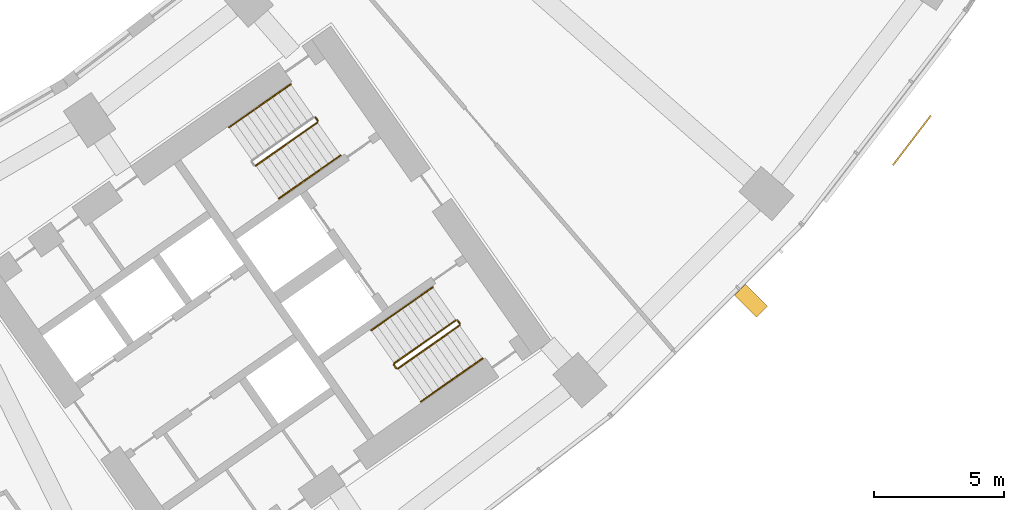
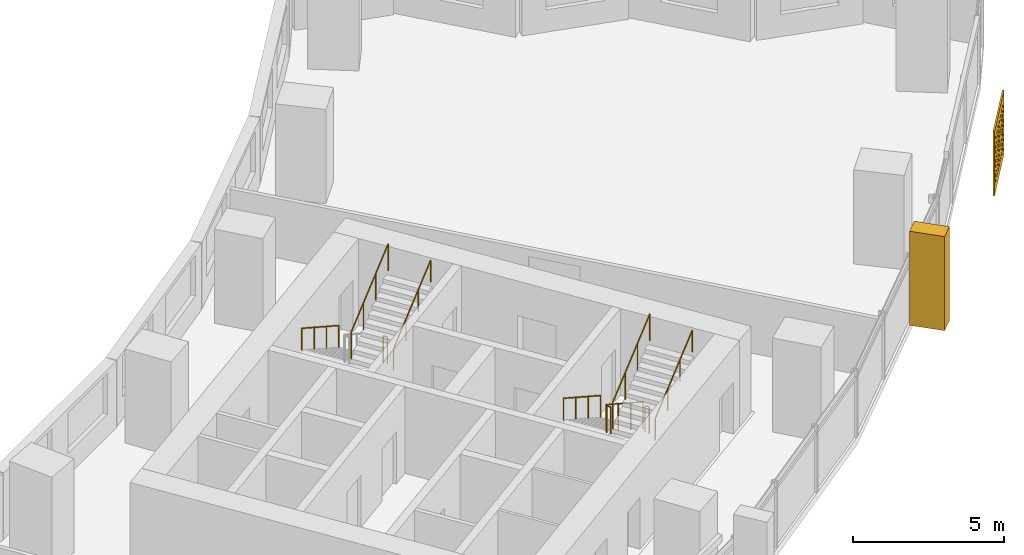
# One storey, part 31 of 31: 9 railings, 2 shading devices.
"""IFC4 building model written with IfcOpenShell, lengths in metres."""

from ifc_helpers import new_model, si_unit, direction, frame, origin, origin_2d, place, context, subcontext, project, spatial, polyline, circle, outline, extrude, material, material_profile, profile_set, type_object, element, save


model = new_model("IFC4")

# Units and contexts
model_context = context("Model", 3, precision=1e-05, world=origin(), true_north=direction((0.0, 1.0)))
body_context = subcontext(model_context, "Body", "Model", "MODEL_VIEW")
ifc_project = project(units=[si_unit("LENGTHUNIT", "METRE"), si_unit("AREAUNIT", "SQUARE_METRE"), si_unit("VOLUMEUNIT", "CUBIC_METRE"), si_unit("PLANEANGLEUNIT", "RADIAN"), si_unit("MASSUNIT", "GRAM", prefix="KILO")], contexts=[model_context])

# Site, building, storey
site_placement = place(None, origin())
site = spatial("IfcSite", under=ifc_project, at=site_placement, CompositionType="ELEMENT")
building_placement = place(site_placement, origin())
building = spatial("IfcBuilding", under=site, at=building_placement, Name="Qamariyya Broadcast Tower", CompositionType="ELEMENT")
storey_placement = place(building_placement, frame((0.0, 0.0, 59.5)))
storey = spatial("IfcBuildingStorey", under=building, at=storey_placement, Name="L11", CompositionType="ELEMENT", Elevation=59.5)

# Shading devices
ifc_material_1 = material(Name="Steel S355 powder coated deep red", Category="steel")
shading_device_type_1 = type_object("IfcShadingDeviceType", Name="Deep red frame, powder coated steel box section", PredefinedType="USERDEFINED", material=ifc_material_1)
shading_device_1_placement = place(storey_placement, origin())
element("IfcShadingDevice", 1, at=shading_device_1_placement, inside=storey, type_object=shading_device_type_1, Name="e-frm-B1-F5-postb-L11", ObjectType="FRAME", PredefinedType="USERDEFINED", context=body_context, shape_type="SweptSolid", body=[
    extrude(outline(polyline([(57.21630859375, -55.184814453125), (58.064697265625, -56.033203125), (58.489013671875, -55.60888671875), (57.640380859375, -54.760498046875), (57.21630859375, -55.184814453125)])), origin(), (0.0, 0.0, 1.0), 3.800048828125),
])
ifc_material_2 = material(Name="Perforated glazed terracotta", Category="masonry")
ifc_material_profile = material_profile(ifc_material_2, outline(polyline([(-1.199951171875, -1.300048828125), (1.199951171875, -1.300048828125), (1.199951171875, 1.300048828125), (-1.199951171875, 1.300048828125), (-1.199951171875, -1.300048828125)]), holes=[polyline([(-0.81494140625, -0.86669921875), (-0.89990234375, -0.78173828125), (-0.985107421875, -0.86669921875), (-0.89990234375, -0.95166015625), (-0.81494140625, -0.86669921875)]), polyline([(-0.514892578125, -0.86669921875), (-0.60009765625, -0.78173828125), (-0.68505859375, -0.86669921875), (-0.60009765625, -0.95166015625), (-0.514892578125, -0.86669921875)]), polyline([(-0.215087890625, -0.86669921875), (-0.300048828125, -0.78173828125), (-0.385009765625, -0.86669921875), (-0.300048828125, -0.95166015625), (-0.215087890625, -0.86669921875)]), polyline([(0.0849609375, -0.86669921875), (0.0, -0.78173828125), (-0.0849609375, -0.86669921875), (0.0, -0.95166015625), (0.0849609375, -0.86669921875)]), polyline([(0.385009765625, -0.86669921875), (0.300048828125, -0.78173828125), (0.215087890625, -0.86669921875), (0.300048828125, -0.95166015625), (0.385009765625, -0.86669921875)]), polyline([(0.68505859375, -0.86669921875), (0.60009765625, -0.78173828125), (0.514892578125, -0.86669921875), (0.60009765625, -0.95166015625), (0.68505859375, -0.86669921875)]), polyline([(0.985107421875, -0.86669921875), (0.89990234375, -0.78173828125), (0.81494140625, -0.86669921875), (0.89990234375, -0.95166015625), (0.985107421875, -0.86669921875)]), polyline([(-0.965087890625, -0.577880859375), (-1.050048828125, -0.49267578125), (-1.135009765625, -0.577880859375), (-1.050048828125, -0.662841796875), (-0.965087890625, -0.577880859375)]), polyline([(-0.6650390625, -0.577880859375), (-0.75, -0.49267578125), (-0.8349609375, -0.577880859375), (-0.75, -0.662841796875), (-0.6650390625, -0.577880859375)]), polyline([(-0.364990234375, -0.577880859375), (-0.449951171875, -0.49267578125), (-0.534912109375, -0.577880859375), (-0.449951171875, -0.662841796875), (-0.364990234375, -0.577880859375)]), polyline([(-0.06494140625, -0.577880859375), (-0.14990234375, -0.49267578125), (-0.235107421875, -0.577880859375), (-0.14990234375, -0.662841796875), (-0.06494140625, -0.577880859375)]), polyline([(0.235107421875, -0.577880859375), (0.14990234375, -0.49267578125), (0.06494140625, -0.577880859375), (0.14990234375, -0.662841796875), (0.235107421875, -0.577880859375)]), polyline([(0.534912109375, -0.577880859375), (0.449951171875, -0.49267578125), (0.364990234375, -0.577880859375), (0.449951171875, -0.662841796875), (0.534912109375, -0.577880859375)]), polyline([(0.8349609375, -0.577880859375), (0.75, -0.49267578125), (0.6650390625, -0.577880859375), (0.75, -0.662841796875), (0.8349609375, -0.577880859375)]), polyline([(1.135009765625, -0.577880859375), (1.050048828125, -0.49267578125), (0.965087890625, -0.577880859375), (1.050048828125, -0.662841796875), (1.135009765625, -0.577880859375)]), polyline([(-0.81494140625, -0.288818359375), (-0.89990234375, -0.203857421875), (-0.985107421875, -0.288818359375), (-0.89990234375, -0.373779296875), (-0.81494140625, -0.288818359375)]), polyline([(-0.514892578125, -0.288818359375), (-0.60009765625, -0.203857421875), (-0.68505859375, -0.288818359375), (-0.60009765625, -0.373779296875), (-0.514892578125, -0.288818359375)]), polyline([(-0.215087890625, -0.288818359375), (-0.300048828125, -0.203857421875), (-0.385009765625, -0.288818359375), (-0.300048828125, -0.373779296875), (-0.215087890625, -0.288818359375)]), polyline([(0.0849609375, -0.288818359375), (0.0, -0.203857421875), (-0.0849609375, -0.288818359375), (0.0, -0.373779296875), (0.0849609375, -0.288818359375)]), polyline([(0.385009765625, -0.288818359375), (0.300048828125, -0.203857421875), (0.215087890625, -0.288818359375), (0.300048828125, -0.373779296875), (0.385009765625, -0.288818359375)]), polyline([(0.68505859375, -0.288818359375), (0.60009765625, -0.203857421875), (0.514892578125, -0.288818359375), (0.60009765625, -0.373779296875), (0.68505859375, -0.288818359375)]), polyline([(0.985107421875, -0.288818359375), (0.89990234375, -0.203857421875), (0.81494140625, -0.288818359375), (0.89990234375, -0.373779296875), (0.985107421875, -0.288818359375)]), polyline([(-0.965087890625, 0.0), (-1.050048828125, 0.0849609375), (-1.135009765625, 0.0), (-1.050048828125, -0.0849609375), (-0.965087890625, 0.0)]), polyline([(-0.6650390625, 0.0), (-0.75, 0.0849609375), (-0.8349609375, 0.0), (-0.75, -0.0849609375), (-0.6650390625, 0.0)]), polyline([(-0.364990234375, 0.0), (-0.449951171875, 0.0849609375), (-0.534912109375, 0.0), (-0.449951171875, -0.0849609375), (-0.364990234375, 0.0)]), polyline([(-0.06494140625, 0.0), (-0.14990234375, 0.0849609375), (-0.235107421875, 0.0), (-0.14990234375, -0.0849609375), (-0.06494140625, 0.0)]), polyline([(0.235107421875, 0.0), (0.14990234375, 0.0849609375), (0.06494140625, 0.0), (0.14990234375, -0.0849609375), (0.235107421875, 0.0)]), polyline([(0.534912109375, 0.0), (0.449951171875, 0.0849609375), (0.364990234375, 0.0), (0.449951171875, -0.0849609375), (0.534912109375, 0.0)]), polyline([(0.8349609375, 0.0), (0.75, 0.0849609375), (0.6650390625, 0.0), (0.75, -0.0849609375), (0.8349609375, 0.0)]), polyline([(1.135009765625, 0.0), (1.050048828125, 0.0849609375), (0.965087890625, 0.0), (1.050048828125, -0.0849609375), (1.135009765625, 0.0)]), polyline([(-0.81494140625, 0.288818359375), (-0.89990234375, 0.373779296875), (-0.985107421875, 0.288818359375), (-0.89990234375, 0.203857421875), (-0.81494140625, 0.288818359375)]), polyline([(-0.514892578125, 0.288818359375), (-0.60009765625, 0.373779296875), (-0.68505859375, 0.288818359375), (-0.60009765625, 0.203857421875), (-0.514892578125, 0.288818359375)]), polyline([(-0.215087890625, 0.288818359375), (-0.300048828125, 0.373779296875), (-0.385009765625, 0.288818359375), (-0.300048828125, 0.203857421875), (-0.215087890625, 0.288818359375)]), polyline([(0.0849609375, 0.288818359375), (0.0, 0.373779296875), (-0.0849609375, 0.288818359375), (0.0, 0.203857421875), (0.0849609375, 0.288818359375)]), polyline([(0.385009765625, 0.288818359375), (0.300048828125, 0.373779296875), (0.215087890625, 0.288818359375), (0.300048828125, 0.203857421875), (0.385009765625, 0.288818359375)]), polyline([(0.68505859375, 0.288818359375), (0.60009765625, 0.373779296875), (0.514892578125, 0.288818359375), (0.60009765625, 0.203857421875), (0.68505859375, 0.288818359375)]), polyline([(0.985107421875, 0.288818359375), (0.89990234375, 0.373779296875), (0.81494140625, 0.288818359375), (0.89990234375, 0.203857421875), (0.985107421875, 0.288818359375)]), polyline([(-0.965087890625, 0.577880859375), (-1.050048828125, 0.662841796875), (-1.135009765625, 0.577880859375), (-1.050048828125, 0.49267578125), (-0.965087890625, 0.577880859375)]), polyline([(-0.6650390625, 0.577880859375), (-0.75, 0.662841796875), (-0.8349609375, 0.577880859375), (-0.75, 0.49267578125), (-0.6650390625, 0.577880859375)]), polyline([(-0.364990234375, 0.577880859375), (-0.449951171875, 0.662841796875), (-0.534912109375, 0.577880859375), (-0.449951171875, 0.49267578125), (-0.364990234375, 0.577880859375)]), polyline([(-0.06494140625, 0.577880859375), (-0.14990234375, 0.662841796875), (-0.235107421875, 0.577880859375), (-0.14990234375, 0.49267578125), (-0.06494140625, 0.577880859375)]), polyline([(0.235107421875, 0.577880859375), (0.14990234375, 0.662841796875), (0.06494140625, 0.577880859375), (0.14990234375, 0.49267578125), (0.235107421875, 0.577880859375)]), polyline([(0.534912109375, 0.577880859375), (0.449951171875, 0.662841796875), (0.364990234375, 0.577880859375), (0.449951171875, 0.49267578125), (0.534912109375, 0.577880859375)]), polyline([(0.8349609375, 0.577880859375), (0.75, 0.662841796875), (0.6650390625, 0.577880859375), (0.75, 0.49267578125), (0.8349609375, 0.577880859375)]), polyline([(1.135009765625, 0.577880859375), (1.050048828125, 0.662841796875), (0.965087890625, 0.577880859375), (1.050048828125, 0.49267578125), (1.135009765625, 0.577880859375)]), polyline([(-0.81494140625, 0.86669921875), (-0.89990234375, 0.95166015625), (-0.985107421875, 0.86669921875), (-0.89990234375, 0.78173828125), (-0.81494140625, 0.86669921875)]), polyline([(-0.514892578125, 0.86669921875), (-0.60009765625, 0.95166015625), (-0.68505859375, 0.86669921875), (-0.60009765625, 0.78173828125), (-0.514892578125, 0.86669921875)]), polyline([(-0.215087890625, 0.86669921875), (-0.300048828125, 0.95166015625), (-0.385009765625, 0.86669921875), (-0.300048828125, 0.78173828125), (-0.215087890625, 0.86669921875)]), polyline([(0.0849609375, 0.86669921875), (0.0, 0.95166015625), (-0.0849609375, 0.86669921875), (0.0, 0.78173828125), (0.0849609375, 0.86669921875)]), polyline([(0.385009765625, 0.86669921875), (0.300048828125, 0.95166015625), (0.215087890625, 0.86669921875), (0.300048828125, 0.78173828125), (0.385009765625, 0.86669921875)]), polyline([(0.68505859375, 0.86669921875), (0.60009765625, 0.95166015625), (0.514892578125, 0.86669921875), (0.60009765625, 0.78173828125), (0.68505859375, 0.86669921875)]), polyline([(0.985107421875, 0.86669921875), (0.89990234375, 0.95166015625), (0.81494140625, 0.86669921875), (0.89990234375, 0.78173828125), (0.985107421875, 0.86669921875)])]))
ifc_profile_set = profile_set([ifc_material_profile], Name="Perforated glazed terracotta")
shading_device_type_2 = type_object("IfcShadingDeviceType", Name="Perforated terracotta screen 2400 x 2600", PredefinedType="USERDEFINED", material=ifc_profile_set)
shading_device_2_placement = place(storey_placement, frame((64.031005859375, -49.19873046875, 1.35009765625), z_axis=(0.794589096806, -0.607147566278, 0.0), x_axis=(0.607147566278, 0.794589096806, 0.0)))
element("IfcShadingDevice", 2, at=shading_device_2_placement, inside=storey, type_object=shading_device_type_2, Name="e-scr-L11-15-1", ObjectType="SCREEN", PredefinedType="USERDEFINED", context=body_context, shape_type="SweptSolid", body=[
    extrude(outline(polyline([(-1.199951171875, -1.300048828125), (1.199951171875, -1.300048828125), (1.199951171875, 1.300048828125), (-1.199951171875, 1.300048828125), (-1.199951171875, -1.300048828125)]), holes=[polyline([(-0.81494140625, -0.86669921875), (-0.89990234375, -0.78173828125), (-0.985107421875, -0.86669921875), (-0.89990234375, -0.95166015625), (-0.81494140625, -0.86669921875)]), polyline([(-0.514892578125, -0.86669921875), (-0.60009765625, -0.78173828125), (-0.68505859375, -0.86669921875), (-0.60009765625, -0.95166015625), (-0.514892578125, -0.86669921875)]), polyline([(-0.215087890625, -0.86669921875), (-0.300048828125, -0.78173828125), (-0.385009765625, -0.86669921875), (-0.300048828125, -0.95166015625), (-0.215087890625, -0.86669921875)]), polyline([(0.0849609375, -0.86669921875), (0.0, -0.78173828125), (-0.0849609375, -0.86669921875), (0.0, -0.95166015625), (0.0849609375, -0.86669921875)]), polyline([(0.385009765625, -0.86669921875), (0.300048828125, -0.78173828125), (0.215087890625, -0.86669921875), (0.300048828125, -0.95166015625), (0.385009765625, -0.86669921875)]), polyline([(0.68505859375, -0.86669921875), (0.60009765625, -0.78173828125), (0.514892578125, -0.86669921875), (0.60009765625, -0.95166015625), (0.68505859375, -0.86669921875)]), polyline([(0.985107421875, -0.86669921875), (0.89990234375, -0.78173828125), (0.81494140625, -0.86669921875), (0.89990234375, -0.95166015625), (0.985107421875, -0.86669921875)]), polyline([(-0.965087890625, -0.577880859375), (-1.050048828125, -0.49267578125), (-1.135009765625, -0.577880859375), (-1.050048828125, -0.662841796875), (-0.965087890625, -0.577880859375)]), polyline([(-0.6650390625, -0.577880859375), (-0.75, -0.49267578125), (-0.8349609375, -0.577880859375), (-0.75, -0.662841796875), (-0.6650390625, -0.577880859375)]), polyline([(-0.364990234375, -0.577880859375), (-0.449951171875, -0.49267578125), (-0.534912109375, -0.577880859375), (-0.449951171875, -0.662841796875), (-0.364990234375, -0.577880859375)]), polyline([(-0.06494140625, -0.577880859375), (-0.14990234375, -0.49267578125), (-0.235107421875, -0.577880859375), (-0.14990234375, -0.662841796875), (-0.06494140625, -0.577880859375)]), polyline([(0.235107421875, -0.577880859375), (0.14990234375, -0.49267578125), (0.06494140625, -0.577880859375), (0.14990234375, -0.662841796875), (0.235107421875, -0.577880859375)]), polyline([(0.534912109375, -0.577880859375), (0.449951171875, -0.49267578125), (0.364990234375, -0.577880859375), (0.449951171875, -0.662841796875), (0.534912109375, -0.577880859375)]), polyline([(0.8349609375, -0.577880859375), (0.75, -0.49267578125), (0.6650390625, -0.577880859375), (0.75, -0.662841796875), (0.8349609375, -0.577880859375)]), polyline([(1.135009765625, -0.577880859375), (1.050048828125, -0.49267578125), (0.965087890625, -0.577880859375), (1.050048828125, -0.662841796875), (1.135009765625, -0.577880859375)]), polyline([(-0.81494140625, -0.288818359375), (-0.89990234375, -0.203857421875), (-0.985107421875, -0.288818359375), (-0.89990234375, -0.373779296875), (-0.81494140625, -0.288818359375)]), polyline([(-0.514892578125, -0.288818359375), (-0.60009765625, -0.203857421875), (-0.68505859375, -0.288818359375), (-0.60009765625, -0.373779296875), (-0.514892578125, -0.288818359375)]), polyline([(-0.215087890625, -0.288818359375), (-0.300048828125, -0.203857421875), (-0.385009765625, -0.288818359375), (-0.300048828125, -0.373779296875), (-0.215087890625, -0.288818359375)]), polyline([(0.0849609375, -0.288818359375), (0.0, -0.203857421875), (-0.0849609375, -0.288818359375), (0.0, -0.373779296875), (0.0849609375, -0.288818359375)]), polyline([(0.385009765625, -0.288818359375), (0.300048828125, -0.203857421875), (0.215087890625, -0.288818359375), (0.300048828125, -0.373779296875), (0.385009765625, -0.288818359375)]), polyline([(0.68505859375, -0.288818359375), (0.60009765625, -0.203857421875), (0.514892578125, -0.288818359375), (0.60009765625, -0.373779296875), (0.68505859375, -0.288818359375)]), polyline([(0.985107421875, -0.288818359375), (0.89990234375, -0.203857421875), (0.81494140625, -0.288818359375), (0.89990234375, -0.373779296875), (0.985107421875, -0.288818359375)]), polyline([(-0.965087890625, 0.0), (-1.050048828125, 0.0849609375), (-1.135009765625, 0.0), (-1.050048828125, -0.0849609375), (-0.965087890625, 0.0)]), polyline([(-0.6650390625, 0.0), (-0.75, 0.0849609375), (-0.8349609375, 0.0), (-0.75, -0.0849609375), (-0.6650390625, 0.0)]), polyline([(-0.364990234375, 0.0), (-0.449951171875, 0.0849609375), (-0.534912109375, 0.0), (-0.449951171875, -0.0849609375), (-0.364990234375, 0.0)]), polyline([(-0.06494140625, 0.0), (-0.14990234375, 0.0849609375), (-0.235107421875, 0.0), (-0.14990234375, -0.0849609375), (-0.06494140625, 0.0)]), polyline([(0.235107421875, 0.0), (0.14990234375, 0.0849609375), (0.06494140625, 0.0), (0.14990234375, -0.0849609375), (0.235107421875, 0.0)]), polyline([(0.534912109375, 0.0), (0.449951171875, 0.0849609375), (0.364990234375, 0.0), (0.449951171875, -0.0849609375), (0.534912109375, 0.0)]), polyline([(0.8349609375, 0.0), (0.75, 0.0849609375), (0.6650390625, 0.0), (0.75, -0.0849609375), (0.8349609375, 0.0)]), polyline([(1.135009765625, 0.0), (1.050048828125, 0.0849609375), (0.965087890625, 0.0), (1.050048828125, -0.0849609375), (1.135009765625, 0.0)]), polyline([(-0.81494140625, 0.288818359375), (-0.89990234375, 0.373779296875), (-0.985107421875, 0.288818359375), (-0.89990234375, 0.203857421875), (-0.81494140625, 0.288818359375)]), polyline([(-0.514892578125, 0.288818359375), (-0.60009765625, 0.373779296875), (-0.68505859375, 0.288818359375), (-0.60009765625, 0.203857421875), (-0.514892578125, 0.288818359375)]), polyline([(-0.215087890625, 0.288818359375), (-0.300048828125, 0.373779296875), (-0.385009765625, 0.288818359375), (-0.300048828125, 0.203857421875), (-0.215087890625, 0.288818359375)]), polyline([(0.0849609375, 0.288818359375), (0.0, 0.373779296875), (-0.0849609375, 0.288818359375), (0.0, 0.203857421875), (0.0849609375, 0.288818359375)]), polyline([(0.385009765625, 0.288818359375), (0.300048828125, 0.373779296875), (0.215087890625, 0.288818359375), (0.300048828125, 0.203857421875), (0.385009765625, 0.288818359375)]), polyline([(0.68505859375, 0.288818359375), (0.60009765625, 0.373779296875), (0.514892578125, 0.288818359375), (0.60009765625, 0.203857421875), (0.68505859375, 0.288818359375)]), polyline([(0.985107421875, 0.288818359375), (0.89990234375, 0.373779296875), (0.81494140625, 0.288818359375), (0.89990234375, 0.203857421875), (0.985107421875, 0.288818359375)]), polyline([(-0.965087890625, 0.577880859375), (-1.050048828125, 0.662841796875), (-1.135009765625, 0.577880859375), (-1.050048828125, 0.49267578125), (-0.965087890625, 0.577880859375)]), polyline([(-0.6650390625, 0.577880859375), (-0.75, 0.662841796875), (-0.8349609375, 0.577880859375), (-0.75, 0.49267578125), (-0.6650390625, 0.577880859375)]), polyline([(-0.364990234375, 0.577880859375), (-0.449951171875, 0.662841796875), (-0.534912109375, 0.577880859375), (-0.449951171875, 0.49267578125), (-0.364990234375, 0.577880859375)]), polyline([(-0.06494140625, 0.577880859375), (-0.14990234375, 0.662841796875), (-0.235107421875, 0.577880859375), (-0.14990234375, 0.49267578125), (-0.06494140625, 0.577880859375)]), polyline([(0.235107421875, 0.577880859375), (0.14990234375, 0.662841796875), (0.06494140625, 0.577880859375), (0.14990234375, 0.49267578125), (0.235107421875, 0.577880859375)]), polyline([(0.534912109375, 0.577880859375), (0.449951171875, 0.662841796875), (0.364990234375, 0.577880859375), (0.449951171875, 0.49267578125), (0.534912109375, 0.577880859375)]), polyline([(0.8349609375, 0.577880859375), (0.75, 0.662841796875), (0.6650390625, 0.577880859375), (0.75, 0.49267578125), (0.8349609375, 0.577880859375)]), polyline([(1.135009765625, 0.577880859375), (1.050048828125, 0.662841796875), (0.965087890625, 0.577880859375), (1.050048828125, 0.49267578125), (1.135009765625, 0.577880859375)]), polyline([(-0.81494140625, 0.86669921875), (-0.89990234375, 0.95166015625), (-0.985107421875, 0.86669921875), (-0.89990234375, 0.78173828125), (-0.81494140625, 0.86669921875)]), polyline([(-0.514892578125, 0.86669921875), (-0.60009765625, 0.95166015625), (-0.68505859375, 0.86669921875), (-0.60009765625, 0.78173828125), (-0.514892578125, 0.86669921875)]), polyline([(-0.215087890625, 0.86669921875), (-0.300048828125, 0.95166015625), (-0.385009765625, 0.86669921875), (-0.300048828125, 0.78173828125), (-0.215087890625, 0.86669921875)]), polyline([(0.0849609375, 0.86669921875), (0.0, 0.95166015625), (-0.0849609375, 0.86669921875), (0.0, 0.78173828125), (0.0849609375, 0.86669921875)]), polyline([(0.385009765625, 0.86669921875), (0.300048828125, 0.95166015625), (0.215087890625, 0.86669921875), (0.300048828125, 0.78173828125), (0.385009765625, 0.86669921875)]), polyline([(0.68505859375, 0.86669921875), (0.60009765625, 0.95166015625), (0.514892578125, 0.86669921875), (0.60009765625, 0.78173828125), (0.68505859375, 0.86669921875)]), polyline([(0.985107421875, 0.86669921875), (0.89990234375, 0.95166015625), (0.81494140625, 0.86669921875), (0.89990234375, 0.78173828125), (0.985107421875, 0.86669921875)])]), origin(), (0.0, 0.0, 1.0), 0.059814453125),
])

# Railings
ifc_material_3 = material(Name="Painted steel", Category="steel")
railing_type_1 = type_object("IfcRailingType", Name="Stair guard", PredefinedType="GUARDRAIL", material=ifc_material_3)
railing_1_placement = place(storey_placement, frame((38.771240234375, -50.188232421875, 2.07275390625)))
element("IfcRailing", 3, at=railing_1_placement, inside=storey, type_object=railing_type_1, Name="L11 ST-E2 stair guard 2", PredefinedType="GUARDRAIL", context=body_context, shape_type="SweptSolid", body=[
    extrude(circle(Radius=0.02392578125, at=origin_2d()), frame((0.0, 0.0, 1.076171875), z_axis=(0.703770094002, 0.492783725636, 0.511734163933), x_axis=(-0.573575343427, 0.819152809562, 0.0)), (0.0, 0.0, 1.0), 3.37548828125),
    extrude(circle(Radius=0.02099609375, at=origin_2d()), origin(), (0.0, 0.0, 1.0), 1.052001953125),
    extrude(circle(Radius=0.02099609375, at=origin_2d()), frame((0.791748046875, 0.554443359375, 0.57568359375)), (0.0, 0.0, 1.0), 1.052001953125),
    extrude(circle(Radius=0.02099609375, at=origin_2d()), frame((1.583740234375, 1.10888671875, 1.151611328125)), (0.0, 0.0, 1.0), 1.052001953125),
    extrude(circle(Radius=0.02099609375, at=origin_2d()), frame((2.37548828125, 1.663330078125, 1.727294921875)), (0.0, 0.0, 1.0), 1.052001953125),
])
railing_2_placement = place(storey_placement, frame((41.072998046875, -48.332275390625, 0.0)))
element("IfcRailing", 4, at=railing_2_placement, inside=storey, type_object=railing_type_1, Name="L11 ST-E2 stair guard 3", PredefinedType="GUARDRAIL", context=body_context, shape_type="SweptSolid", body=[
    extrude(circle(Radius=0.02392578125, at=origin_2d()), frame((0.0, 0.0, 1.076171875), z_axis=(0.572588637393, -0.819842821722, 0.0), x_axis=(0.819842821722, 0.572588637393, 0.0)), (0.0, 0.0, 1.0), 0.150146484375),
    extrude(circle(Radius=0.02099609375, at=origin_2d()), origin(), (0.0, 0.0, 1.0), 1.052001953125),
    extrude(circle(Radius=0.02099609375, at=origin_2d()), frame((0.0859375, -0.123046875, 0.0)), (0.0, 0.0, 1.0), 1.052001953125),
])
railing_3_placement = place(storey_placement, frame((46.48095703125, -56.14306640625, 0.172607421875)))
element("IfcRailing", 5, at=railing_3_placement, inside=storey, type_object=railing_type_1, Name="L11 ST-E1 stair guard 1", PredefinedType="GUARDRAIL", context=body_context, shape_type="SweptSolid", body=[
    extrude(circle(Radius=0.02392578125, at=origin_2d()), frame((0.0, 0.0, 1.076171875), z_axis=(-0.703770094002, -0.492783725636, 0.511734163933), x_axis=(0.573575343427, -0.819152809562, 0.0)), (0.0, 0.0, 1.0), 3.37548828125),
    extrude(circle(Radius=0.02392578125, at=origin_2d()), frame((-2.37548828125, -1.663330078125, 2.80322265625), z_axis=(-0.176149252506, -0.984363469884, 0.0), x_axis=(0.984363469884, -0.176149252506, 0.0)), (0.0, 0.0, 1.0), 0.07080078125),
    extrude(circle(Radius=0.02392578125, at=origin_2d()), frame((-2.387939453125, -1.73291015625, 2.80322265625), z_axis=(0.574444878118, -0.818543268254, 0.0), x_axis=(0.818543268254, 0.574444878118, 0.0)), (0.0, 0.0, 1.0), 0.150146484375),
    extrude(circle(Radius=0.02099609375, at=origin_2d()), origin(), (0.0, 0.0, 1.0), 1.052001953125),
    extrude(circle(Radius=0.02099609375, at=origin_2d()), frame((-0.791748046875, -0.554443359375, 0.57568359375)), (0.0, 0.0, 1.0), 1.052001953125),
    extrude(circle(Radius=0.02099609375, at=origin_2d()), frame((-1.583740234375, -1.10888671875, 1.151611328125)), (0.0, 0.0, 1.0), 1.052001953125),
    extrude(circle(Radius=0.02099609375, at=origin_2d()), frame((-2.37548828125, -1.663330078125, 1.727294921875)), (0.0, 0.0, 1.0), 1.052001953125),
    extrude(circle(Radius=0.02099609375, at=origin_2d()), frame((-2.387939453125, -1.73291015625, 1.727294921875)), (0.0, 0.0, 1.0), 1.052001953125),
    extrude(circle(Radius=0.02099609375, at=origin_2d()), frame((-2.3017578125, -1.855712890625, 1.727294921875)), (0.0, 0.0, 1.0), 1.052001953125),
])
railing_4_placement = place(storey_placement, frame((44.248779296875, -58.01123046875, 2.07275390625)))
element("IfcRailing", 6, at=railing_4_placement, inside=storey, type_object=railing_type_1, Name="L11 ST-E1 stair guard 2", PredefinedType="GUARDRAIL", context=body_context, shape_type="SweptSolid", body=[
    extrude(circle(Radius=0.02392578125, at=origin_2d()), frame((0.0, 0.0, 1.076171875), z_axis=(0.703745009021, 0.492838488332, 0.511715923826), x_axis=(-0.573631830683, 0.819113253969, 0.0)), (0.0, 0.0, 1.0), 3.37548828125),
    extrude(circle(Radius=0.02099609375, at=origin_2d()), origin(), (0.0, 0.0, 1.0), 1.052001953125),
    extrude(circle(Radius=0.02099609375, at=origin_2d()), frame((0.791748046875, 0.554443359375, 0.57568359375)), (0.0, 0.0, 1.0), 1.052001953125),
    extrude(circle(Radius=0.02099609375, at=origin_2d()), frame((1.583740234375, 1.109130859375, 1.151611328125)), (0.0, 0.0, 1.0), 1.052001953125),
    extrude(circle(Radius=0.02099609375, at=origin_2d()), frame((2.37548828125, 1.66357421875, 1.727294921875)), (0.0, 0.0, 1.0), 1.052001953125),
])
railing_5_placement = place(storey_placement, frame((46.550537109375, -56.1552734375, 0.0)))
element("IfcRailing", 7, at=railing_5_placement, inside=storey, type_object=railing_type_1, Name="L11 ST-E1 stair guard 3", PredefinedType="GUARDRAIL", context=body_context, shape_type="SweptSolid", body=[
    extrude(circle(Radius=0.02392578125, at=origin_2d()), frame((0.0, 0.0, 1.076171875), z_axis=(0.574444878118, -0.818543268254, 0.0), x_axis=(0.818543268254, 0.574444878118, 0.0)), (0.0, 0.0, 1.0), 0.150146484375),
    extrude(circle(Radius=0.02099609375, at=origin_2d()), origin(), (0.0, 0.0, 1.0), 1.052001953125),
    extrude(circle(Radius=0.02099609375, at=origin_2d()), frame((0.086181640625, -0.122802734375, 0.0)), (0.0, 0.0, 1.0), 1.052001953125),
])
ifc_material_4 = material(Name="Stainless steel", Category="steel")
railing_type_2 = type_object("IfcRailingType", Name="Stair handrail", PredefinedType="HANDRAIL", material=ifc_material_4)
railing_6_placement = place(storey_placement, frame((40.1142578125, -47.05029296875, 0.172607421875)))
element("IfcRailing", 8, at=railing_6_placement, inside=storey, type_object=railing_type_2, Name="L11 ST-E2 stair handrail 1", PredefinedType="HANDRAIL", context=body_context, shape_type="SweptSolid", body=[
    extrude(circle(Radius=0.02392578125, at=origin_2d()), frame((0.0, 0.0, 0.8759765625), z_axis=(-0.703745009021, -0.492838488332, 0.511715923826), x_axis=(0.573631830683, -0.819113253969, 0.0)), (0.0, 0.0, 1.0), 3.37548828125),
    extrude(circle(Radius=0.02099609375, at=origin_2d()), origin(), (0.0, 0.0, 1.0), 0.851806640625),
    extrude(circle(Radius=0.02099609375, at=origin_2d()), frame((-0.791748046875, -0.554443359375, 0.57568359375)), (0.0, 0.0, 1.0), 0.851806640625),
    extrude(circle(Radius=0.02099609375, at=origin_2d()), frame((-1.583740234375, -1.109130859375, 1.151611328125)), (0.0, 0.0, 1.0), 0.851806640625),
    extrude(circle(Radius=0.02099609375, at=origin_2d()), frame((-2.37548828125, -1.66357421875, 1.727294921875)), (0.0, 0.0, 1.0), 0.851806640625),
])
railing_7_placement = place(storey_placement, frame((39.66015625, -51.4580078125, 2.07275390625)))
element("IfcRailing", 9, at=railing_7_placement, inside=storey, type_object=railing_type_2, Name="L11 ST-E2 stair handrail 2", PredefinedType="HANDRAIL", context=body_context, shape_type="SweptSolid", body=[
    extrude(circle(Radius=0.02392578125, at=origin_2d()), frame((0.0, 0.0, 0.8759765625), z_axis=(0.703745009021, 0.492838488332, 0.511715923826), x_axis=(-0.573631830683, 0.819113253969, 0.0)), (0.0, 0.0, 1.0), 3.37548828125),
    extrude(circle(Radius=0.02099609375, at=origin_2d()), origin(), (0.0, 0.0, 1.0), 0.851806640625),
    extrude(circle(Radius=0.02099609375, at=origin_2d()), frame((0.791748046875, 0.554443359375, 0.57568359375)), (0.0, 0.0, 1.0), 0.851806640625),
    extrude(circle(Radius=0.02099609375, at=origin_2d()), frame((1.583740234375, 1.109130859375, 1.151611328125)), (0.0, 0.0, 1.0), 0.851806640625),
    extrude(circle(Radius=0.02099609375, at=origin_2d()), frame((2.37548828125, 1.66357421875, 1.727294921875)), (0.0, 0.0, 1.0), 0.851806640625),
])
railing_8_placement = place(storey_placement, frame((45.591796875, -54.873291015625, 0.172607421875)))
element("IfcRailing", 10, at=railing_8_placement, inside=storey, type_object=railing_type_2, Name="L11 ST-E1 stair handrail 1", PredefinedType="HANDRAIL", context=body_context, shape_type="SweptSolid", body=[
    extrude(circle(Radius=0.02392578125, at=origin_2d()), frame((0.0, 0.0, 0.8759765625), z_axis=(-0.703770094002, -0.492783725636, 0.511734163933), x_axis=(0.573575343427, -0.819152809562, 0.0)), (0.0, 0.0, 1.0), 3.37548828125),
    extrude(circle(Radius=0.02099609375, at=origin_2d()), origin(), (0.0, 0.0, 1.0), 0.851806640625),
    extrude(circle(Radius=0.02099609375, at=origin_2d()), frame((-0.791748046875, -0.554443359375, 0.57568359375)), (0.0, 0.0, 1.0), 0.851806640625),
    extrude(circle(Radius=0.02099609375, at=origin_2d()), frame((-1.583740234375, -1.10888671875, 1.151611328125)), (0.0, 0.0, 1.0), 0.851806640625),
    extrude(circle(Radius=0.02099609375, at=origin_2d()), frame((-2.37548828125, -1.663330078125, 1.727294921875)), (0.0, 0.0, 1.0), 0.851806640625),
])
railing_9_placement = place(storey_placement, frame((45.137939453125, -59.28076171875, 2.07275390625)))
element("IfcRailing", 11, at=railing_9_placement, inside=storey, type_object=railing_type_2, Name="L11 ST-E1 stair handrail 2", PredefinedType="HANDRAIL", context=body_context, shape_type="SweptSolid", body=[
    extrude(circle(Radius=0.02392578125, at=origin_2d()), frame((0.0, 0.0, 0.8759765625), z_axis=(0.703770094002, 0.492783725636, 0.511734163933), x_axis=(-0.573575343427, 0.819152809562, 0.0)), (0.0, 0.0, 1.0), 3.37548828125),
    extrude(circle(Radius=0.02099609375, at=origin_2d()), origin(), (0.0, 0.0, 1.0), 0.851806640625),
    extrude(circle(Radius=0.02099609375, at=origin_2d()), frame((0.791748046875, 0.554443359375, 0.57568359375)), (0.0, 0.0, 1.0), 0.851806640625),
    extrude(circle(Radius=0.02099609375, at=origin_2d()), frame((1.583740234375, 1.10888671875, 1.151611328125)), (0.0, 0.0, 1.0), 0.851806640625),
    extrude(circle(Radius=0.02099609375, at=origin_2d()), frame((2.37548828125, 1.663330078125, 1.727294921875)), (0.0, 0.0, 1.0), 0.851806640625),
])

save(model, "model.ifc")
